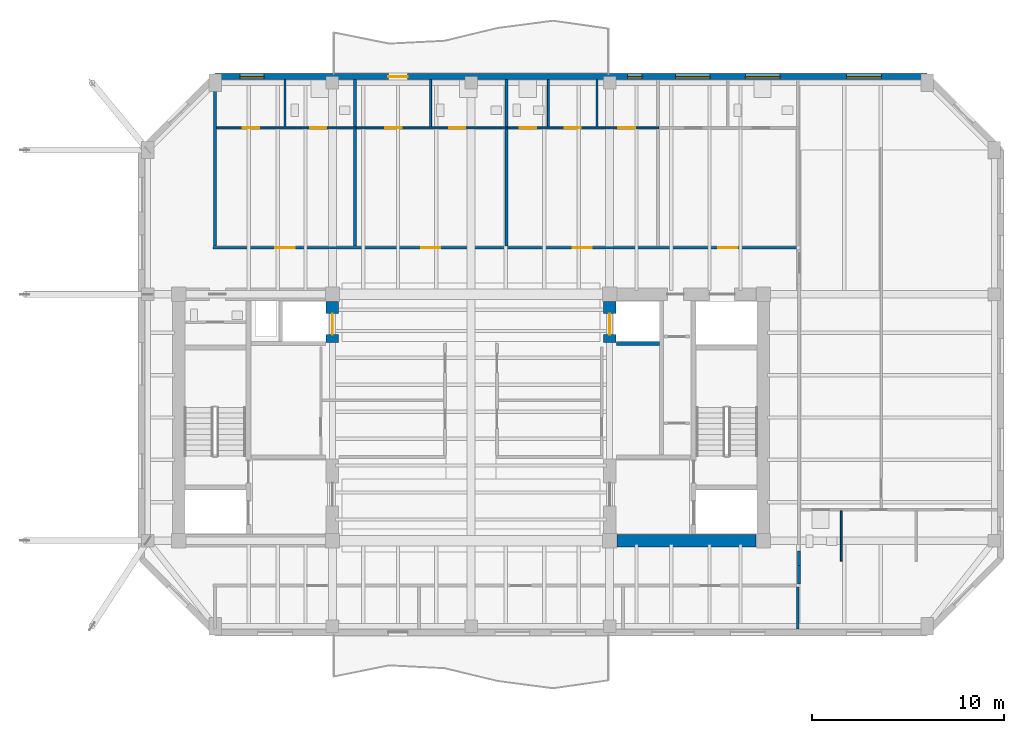
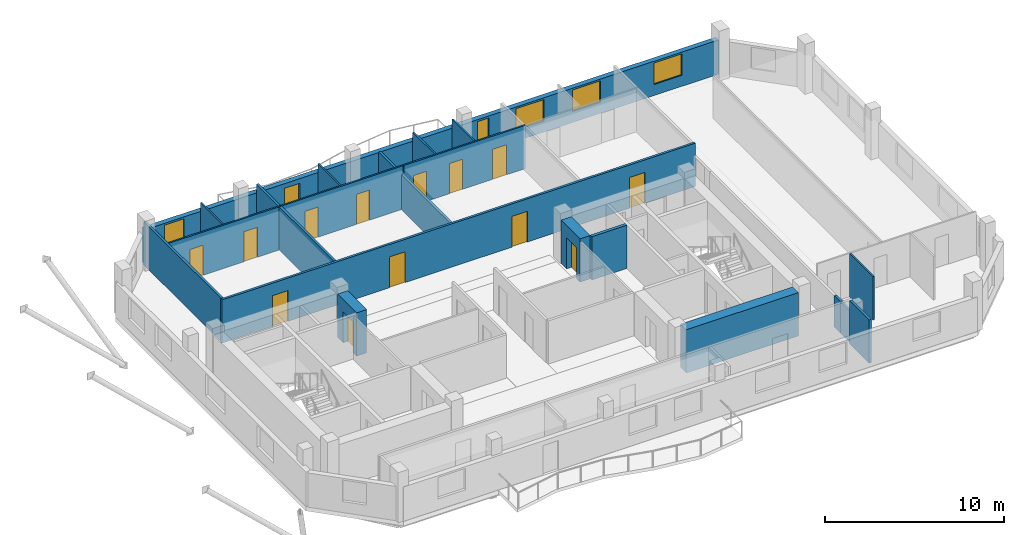
# One storey, part 5 of 10: 20 walls, 14 doors, 5 windows, 19 openings.
"""IFC4 building model written with IfcOpenShell, lengths in metres."""

import ifcopenshell
import ifcopenshell.guid

model = None  # the IFC model being written
_history = None  # IfcOwnerHistory: only IFC2X3 demands one
_inside = {}  # id of a spatial element -> (the spatial element, [elements in it])
_under = {}  # id of a project, library or spatial element -> (it, [spatial elements below it])
_declared = {}  # id of a project -> (the project, [libraries it declares])
_typed = {}  # id of a type object -> (the type object, [elements of that type])
_made_of = {}  # id of a material, layer set ... -> (it, [elements and type objects made of it])


def new_model(schema):
    """Start an empty IFC model of exactly this schema.

    Asked for "IFC4X3", IfcOpenShell would pick the latest addendum, in which some entities
    have other attributes; the version numbers below select the first issue.
    IFC2X3 requires an IfcOwnerHistory on every rooted entity: one is made here for all.
    """
    global model, _history
    if schema == "IFC4X3":
        model = ifcopenshell.file(schema_version=(4, 3, 0, 0))
    else:
        model = ifcopenshell.file(schema=schema)
    _inside.clear()
    _under.clear()
    _declared.clear()
    _typed.clear()
    _made_of.clear()
    _history = None
    if model.schema == "IFC2X3":
        org = make("IfcOrganization", Name="unknown")
        user = make(
            "IfcPersonAndOrganization",
            ThePerson=make("IfcPerson", FamilyName="unknown"),
            TheOrganization=org,
        )
        app = make(
            "IfcApplication",
            ApplicationDeveloper=org,
            Version="unknown",
            ApplicationFullName="unknown",
            ApplicationIdentifier="unknown",
        )
        _history = make(
            "IfcOwnerHistory",
            OwningUser=user,
            OwningApplication=app,
            ChangeAction="ADDED",
            CreationDate=0,
        )
    return model


def make(cls, **values):
    """One entity of the class cls with the attributes given. An attribute that is None is left unset."""
    return model.create_entity(
        cls, **{name: value for name, value in values.items() if value is not None}
    )


def rooted(cls, **values):
    """An entity with a GlobalId (a new one), such as an element, a storey or a relation."""
    return make(cls, GlobalId=ifcopenshell.guid.new(), OwnerHistory=_history, **values)


def si_unit(unit_type, name, prefix=None):
    """IfcSIUnit, for example si_unit("LENGTHUNIT", "METRE", prefix="MILLI")."""
    return make("IfcSIUnit", UnitType=unit_type, Prefix=prefix, Name=name)


def assignment(units):
    """IfcUnitAssignment: the units of a project."""
    return None if units is None else make("IfcUnitAssignment", Units=units)


def point(xyz):
    """IfcCartesianPoint."""
    return None if xyz is None else make("IfcCartesianPoint", Coordinates=xyz)


def direction(xyz):
    """IfcDirection."""
    return None if xyz is None else make("IfcDirection", DirectionRatios=xyz)


def frame(location, z_axis=None, x_axis=None):
    """IfcAxis2Placement3D, a coordinate frame: its origin and axes. An axis left out is left unset."""
    return make(
        "IfcAxis2Placement3D",
        Location=point(location),
        Axis=direction(z_axis),
        RefDirection=direction(x_axis),
    )


def frame_2d(location, x_axis=None):
    """IfcAxis2Placement2D, a coordinate frame in the plane: its origin and x axis."""
    return make(
        "IfcAxis2Placement2D", Location=point(location), RefDirection=direction(x_axis)
    )


def origin():
    """The frame at (0, 0, 0) with its axes left unset."""
    return frame((0.0, 0.0, 0.0))


def place(relative_to, where):
    """IfcLocalPlacement: puts the frame where relative to a parent placement (None: the world)."""
    return make(
        "IfcLocalPlacement", PlacementRelTo=relative_to, RelativePlacement=where
    )


def context(
    kind, dimensions, precision=None, world=None, true_north=None, identifier=None
):
    """IfcGeometricRepresentationContext, for example the 3D "Model" context."""
    return make(
        "IfcGeometricRepresentationContext",
        ContextIdentifier=identifier,
        ContextType=kind,
        CoordinateSpaceDimension=dimensions,
        Precision=precision,
        WorldCoordinateSystem=world,
        TrueNorth=true_north,
    )


def subcontext(parent, identifier, kind, view, scale=None):
    """IfcGeometricRepresentationSubContext, for example "Body" below "Model"."""
    return make(
        "IfcGeometricRepresentationSubContext",
        ContextIdentifier=identifier,
        ContextType=kind,
        ParentContext=parent,
        TargetScale=scale,
        TargetView=view,
    )


def project(units=None, contexts=None):
    """IfcProject with its units and contexts."""
    return rooted(
        "IfcProject",
        Name="project",
        RepresentationContexts=contexts,
        UnitsInContext=assignment(units),
    )


def spatial(cls, under=None, at=None, **own):
    """A site, building, storey or space (cls), placed at a placement, below another one or the project."""
    s = rooted(cls, ObjectPlacement=at, **own)
    if under is not None:
        _under.setdefault(under.id(), (under, []))[1].append(s)
    return s


def profile(cls, at=None, kind="AREA", **sizes):
    """A parametric profile (cls). Its sizes go by their IFC names, for example OverallWidth=200.0."""
    return make(cls, ProfileType=kind, Position=at, **sizes)


def rectangle(**sizes):
    """IfcRectangleProfileDef."""
    return profile("IfcRectangleProfileDef", **sizes)


def extrude(swept, where, along, depth):
    """IfcExtrudedAreaSolid: the profile swept, set in the frame where, extruded along a direction by depth."""
    return make(
        "IfcExtrudedAreaSolid",
        SweptArea=swept,
        Position=where,
        ExtrudedDirection=direction(along),
        Depth=depth,
    )


def shape(context_of_items, identifier, shape_type, items):
    """IfcShapeRepresentation: the items that make up one representation, for example the "Body"."""
    return make(
        "IfcShapeRepresentation",
        ContextOfItems=context_of_items,
        RepresentationIdentifier=identifier,
        RepresentationType=shape_type,
        Items=items,
    )


def material(Name=None, Category=None):
    """IfcMaterial."""
    return make("IfcMaterial", Name=Name, Category=Category)


def layer(
    of_material, thickness, ventilated=None, Name=None, Category=None, Priority=None
):
    """IfcMaterialLayer: one layer of a wall or slab, of a material (None: an air gap)."""
    return make(
        "IfcMaterialLayer",
        Material=of_material,
        LayerThickness=thickness,
        IsVentilated=ventilated,
        Name=Name,
        Category=Category,
        Priority=Priority,
    )


def layer_set(layers, Name=None):
    """IfcMaterialLayerSet."""
    return make("IfcMaterialLayerSet", MaterialLayers=layers, LayerSetName=Name)


def made_of(thing, what):
    """Note that an element or type object is made of a material, layer set ...; save() writes the relation."""
    if what is not None:
        _made_of.setdefault(what.id(), (what, []))[1].append(thing)
    return thing


def type_object(cls, material=None, **own):
    """A type object (cls), such as IfcWallType, which elements share."""
    return made_of(rooted(cls, **own), material)


def element(
    cls,
    number,
    at=None,
    inside=None,
    cuts=None,
    type_object=None,
    material=None,
    context=None,
    identifier="Body",
    shape_type=None,
    held_by="IfcProductDefinitionShape",
    body=None,
    shapes=None,
    **own,
):
    """One element of the class cls, such as IfcWall. Its Tag is "e" and its number.

    at: its placement. inside: the storey or other place that contains it. cuts: it is an
    opening in that element (IfcRelVoidsElement). A single representation is given by context,
    identifier, shape_type and body (its items); several are given by shapes. held_by: the class
    of the entity that holds the representations. save() writes the other relations.
    """
    e = rooted(cls, Tag="e%d" % number, ObjectPlacement=at, **own)
    if body is not None:
        shapes = [shape(context, identifier, shape_type, body)]
    if shapes is not None:
        e.Representation = make(held_by, Representations=shapes)
    if inside is not None:
        _inside.setdefault(inside.id(), (inside, []))[1].append(e)
    if cuts is not None:
        rooted(
            "IfcRelVoidsElement", RelatingBuildingElement=cuts, RelatedOpeningElement=e
        )
    if type_object is not None:
        _typed.setdefault(type_object.id(), (type_object, []))[1].append(e)
    return made_of(e, material)


def fill(opening, filler):
    """IfcRelFillsElement: the door or window that sits in an opening."""
    return rooted(
        "IfcRelFillsElement",
        RelatingOpeningElement=opening,
        RelatedBuildingElement=filler,
    )


def aggregate(whole, parts):
    """IfcRelAggregates: a whole, such as a stair, and the parts it consists of."""
    return rooted("IfcRelAggregates", RelatingObject=whole, RelatedObjects=parts)


def save(model, path):
    """Write the relations noted so far, then the file.

    IfcRelAggregates (storeys below a building ...), IfcRelContainedInSpatialStructure (elements
    in a storey), IfcRelDefinesByType, IfcRelAssociatesMaterial and IfcRelDeclares: one each for
    every whole, place, type object, material and project.
    """
    for whole, parts in _under.values():
        aggregate(whole, parts)
    for where, things in _inside.values():
        rooted(
            "IfcRelContainedInSpatialStructure",
            RelatedElements=things,
            RelatingStructure=where,
        )
    for kind, things in _typed.values():
        rooted("IfcRelDefinesByType", RelatedObjects=things, RelatingType=kind)
    for what, things in _made_of.values():
        rooted("IfcRelAssociatesMaterial", RelatedObjects=things, RelatingMaterial=what)
    for by, libraries in _declared.values():
        rooted("IfcRelDeclares", RelatingContext=by, RelatedDefinitions=libraries)
    model.write(path)


model = new_model("IFC4")

# Units and contexts
model_context = context("Model", 3, precision=1e-05, world=origin(), true_north=direction((0.0, 1.0)))
body_context = subcontext(model_context, "Body", "Model", "MODEL_VIEW")
ifc_project = project(units=[si_unit("LENGTHUNIT", "METRE"), si_unit("AREAUNIT", "SQUARE_METRE"), si_unit("VOLUMEUNIT", "CUBIC_METRE"), si_unit("PLANEANGLEUNIT", "RADIAN"), si_unit("MASSUNIT", "GRAM", prefix="KILO")], contexts=[model_context])

# Site, building, storey
site_placement = place(None, origin())
site = spatial("IfcSite", under=ifc_project, at=site_placement, CompositionType="ELEMENT")
building_placement = place(site_placement, origin())
building = spatial("IfcBuilding", under=site, at=building_placement, Name="Kranthara Brick Stack", CompositionType="ELEMENT")
storey_placement = place(building_placement, frame((0.0, 0.0, 265.300048828125)))
storey = spatial("IfcBuildingStorey", under=building, at=storey_placement, Name="L70", CompositionType="ELEMENT", Elevation=265.300048828125)

# Wall, openings, door, windows
ifc_material_1 = material(Name="Warm buff clay brick masonry M15", Category="masonry")
ifc_layer_1 = layer(ifc_material_1, 0.320068359375)
ifc_layer_set_1 = layer_set([ifc_layer_1], Name="Warm buff clay brick masonry M15")
wall_type_1 = type_object("IfcWallType", Name="WL-BRK-UPPR-320", PredefinedType="STANDARD", material=ifc_layer_set_1)
wall_1_placement = place(storey_placement, frame((14.699951171875, 44.919921875, 0.0), z_axis=(0.0, 0.0, 1.0), x_axis=(1.0, 0.0, 0.0)))
wall_1 = element("IfcWall", 1, at=wall_1_placement, inside=storey, type_object=wall_type_1, Name="L70 Exterior Brick Facade Wall NORTH 1", PredefinedType="STANDARD", context=body_context, shape_type="SweptSolid", body=[
    extrude(rectangle(XDim=37.0, YDim=0.320068359375, at=frame_2d((18.5, 0.0))), origin(), (0.0, 0.0, 1.0), 2.3349609375),
])
opening_1_placement = place(wall_1_placement, frame((9.0, 0.0, 0.0)))
opening_1 = element("IfcOpeningElement", 2, at=opening_1_placement, cuts=wall_1, Name="Opening D03", PredefinedType="OPENING", context=body_context, shape_type="SweptSolid", body=[
    extrude(rectangle(XDim=1.0, YDim=2.02001953125, at=frame_2d((0.5, 1.010009765625))), frame((0.0, 0.169921875, 0.0), z_axis=(0.0, -1.0, 0.0), x_axis=(1.0, 0.0, 0.0)), (0.0, 0.0, 1.0), 0.340087890625),
])
opening_2_placement = place(wall_1_placement, frame((1.2919921875, 0.0, 0.75)))
opening_2 = element("IfcOpeningElement", 3, at=opening_2_placement, cuts=wall_1, Name="Opening WN09", PredefinedType="OPENING", context=body_context, shape_type="SweptSolid", body=[
    extrude(rectangle(XDim=1.25, YDim=1.465087890625, at=frame_2d((0.625, 0.732421875))), frame((0.0, 0.169921875, 0.0), z_axis=(0.0, -1.0, 0.0), x_axis=(1.0, 0.0, 0.0)), (0.0, 0.0, 1.0), 0.340087890625),
])
opening_3_placement = place(wall_1_placement, frame((23.929931640625, 0.0, 0.75)))
opening_3 = element("IfcOpeningElement", 4, at=opening_3_placement, cuts=wall_1, Name="Opening WN07", PredefinedType="OPENING", context=body_context, shape_type="SweptSolid", body=[
    extrude(rectangle(XDim=1.800048828125, YDim=1.465087890625, at=frame_2d((0.89990234375, 0.732421875))), frame((0.0, 0.169921875, 0.0), z_axis=(0.0, -1.0, 0.0), x_axis=(1.0, 0.0, 0.0)), (0.0, 0.0, 1.0), 0.340087890625),
])
opening_4_placement = place(wall_1_placement, frame((27.56298828125, 0.0, 0.75)))
opening_4 = element("IfcOpeningElement", 5, at=opening_4_placement, cuts=wall_1, Name="Opening WN07", PredefinedType="OPENING", context=body_context, shape_type="SweptSolid", body=[
    extrude(rectangle(XDim=1.800048828125, YDim=1.465087890625, at=frame_2d((0.89990234375, 0.732421875))), frame((0.0, 0.169921875, 0.0), z_axis=(0.0, -1.0, 0.0), x_axis=(1.0, 0.0, 0.0)), (0.0, 0.0, 1.0), 0.340087890625),
])
opening_5_placement = place(wall_1_placement, frame((32.824951171875, 0.0, 0.75)))
opening_5 = element("IfcOpeningElement", 6, at=opening_5_placement, cuts=wall_1, Name="Opening WN07", PredefinedType="OPENING", context=body_context, shape_type="SweptSolid", body=[
    extrude(rectangle(XDim=1.800048828125, YDim=1.465087890625, at=frame_2d((0.89990234375, 0.732421875))), frame((0.0, 0.169921875, 0.0), z_axis=(0.0, -1.0, 0.0), x_axis=(1.0, 0.0, 0.0)), (0.0, 0.0, 1.0), 0.340087890625),
])
opening_6_placement = place(wall_1_placement, frame((21.444091796875, 0.0, 0.75)))
opening_6 = element("IfcOpeningElement", 7, at=opening_6_placement, cuts=wall_1, Name="Opening WN13", PredefinedType="OPENING", context=body_context, shape_type="SweptSolid", body=[
    extrude(rectangle(XDim=0.75, YDim=1.449951171875, at=frame_2d((0.375, 0.72509765625))), frame((0.0, 0.169921875, 0.0), z_axis=(0.0, -1.0, 0.0), x_axis=(1.0, 0.0, 0.0)), (0.0, 0.0, 1.0), 0.340087890625),
])
ifc_material_2 = material(Name="Bronze anodised aluminium and laminated glass", Category="aluminium")
door_type_1 = type_object("IfcDoorType", Name="DR-BALC-1000", OperationType="NOTDEFINED", PredefinedType="DOOR", material=ifc_material_2)
door_1_placement = place(opening_1_placement, origin())
door_1 = element("IfcDoor", 8, at=door_1_placement, inside=storey, type_object=door_type_1, Name="L70 North Balcony Terrace Door", OperationType="SINGLE_SWING_RIGHT", OverallHeight=2.02001953125, OverallWidth=1.0, PredefinedType="DOOR", context=body_context, shape_type="SweptSolid", body=[
    extrude(rectangle(XDim=1.0, YDim=2.02001953125, at=frame_2d((0.5, 1.010009765625))), frame((0.0, 0.02490234375, 0.0), z_axis=(0.0, -1.0, 0.0), x_axis=(1.0, 0.0, 0.0)), (0.0, 0.0, 1.0), 0.050048828125),
])
fill(opening_1, door_1)
ifc_material_3 = material(Name="Double-glazed low-E solar control glass", Category="glass")
window_type_1 = type_object("IfcWindowType", Name="WN-CAS-750x1450", PartitioningType="SINGLE_PANEL", PredefinedType="WINDOW", material=ifc_material_3)
window_1_placement = place(opening_6_placement, origin())
window_1 = element("IfcWindow", 9, at=window_1_placement, inside=storey, type_object=window_type_1, Name="L70 North Deep-Set Casement Window 05", OverallHeight=1.449951171875, OverallWidth=0.75, PartitioningType="SINGLE_PANEL", PredefinedType="WINDOW", context=body_context, shape_type="SweptSolid", body=[
    extrude(rectangle(XDim=0.75, YDim=1.449951171875, at=frame_2d((0.375, 0.72509765625))), frame((0.0, -0.010009765625, 0.0), z_axis=(0.0, -1.0, 0.0), x_axis=(1.0, 0.0, 0.0)), (0.0, 0.0, 1.0), 0.06005859375),
])
fill(opening_6, window_1)
ifc_material_4 = material(Name="Double-glazed low-E solar control glass", Category="glass")
window_type_2 = type_object("IfcWindowType", Name="WN-RES-1250x1850", PartitioningType="SINGLE_PANEL", PredefinedType="WINDOW", material=ifc_material_4)
window_2_placement = place(opening_2_placement, origin())
window_2 = element("IfcWindow", 10, at=window_2_placement, inside=storey, type_object=window_type_2, Name="L70 North Deep-Set Brick Window 01", OverallHeight=1.465087890625, OverallWidth=1.25, PartitioningType="SINGLE_PANEL", PredefinedType="WINDOW", context=body_context, shape_type="SweptSolid", body=[
    extrude(rectangle(XDim=1.25, YDim=1.465087890625, at=frame_2d((0.625, 0.732421875))), frame((0.0, -0.010009765625, 0.0), z_axis=(0.0, -1.0, 0.0), x_axis=(1.0, 0.0, 0.0)), (0.0, 0.0, 1.0), 0.06005859375),
])
fill(opening_2, window_2)
ifc_material_5 = material(Name="Double-glazed low-E solar control glass", Category="glass")
window_type_3 = type_object("IfcWindowType", Name="WN-RES-1800x1850", PartitioningType="DOUBLE_PANEL_VERTICAL", PredefinedType="WINDOW", material=ifc_material_5)
window_3_placement = place(opening_3_placement, origin())
window_3 = element("IfcWindow", 11, at=window_3_placement, inside=storey, type_object=window_type_3, Name="L70 North Deep-Set Brick Window 02", OverallHeight=1.465087890625, OverallWidth=1.800048828125, PartitioningType="SINGLE_PANEL", PredefinedType="WINDOW", context=body_context, shape_type="SweptSolid", body=[
    extrude(rectangle(XDim=1.800048828125, YDim=1.465087890625, at=frame_2d((0.89990234375, 0.732421875))), frame((0.0, -0.010009765625, 0.0), z_axis=(0.0, -1.0, 0.0), x_axis=(1.0, 0.0, 0.0)), (0.0, 0.0, 1.0), 0.06005859375),
])
fill(opening_3, window_3)
window_4_placement = place(opening_4_placement, origin())
window_4 = element("IfcWindow", 12, at=window_4_placement, inside=storey, type_object=window_type_3, Name="L70 North Deep-Set Brick Window 03", OverallHeight=1.465087890625, OverallWidth=1.800048828125, PartitioningType="SINGLE_PANEL", PredefinedType="WINDOW", context=body_context, shape_type="SweptSolid", body=[
    extrude(rectangle(XDim=1.800048828125, YDim=1.465087890625, at=frame_2d((0.89990234375, 0.732421875))), frame((0.0, -0.010009765625, 0.0), z_axis=(0.0, -1.0, 0.0), x_axis=(1.0, 0.0, 0.0)), (0.0, 0.0, 1.0), 0.06005859375),
])
fill(opening_4, window_4)
window_5_placement = place(opening_5_placement, origin())
window_5 = element("IfcWindow", 13, at=window_5_placement, inside=storey, type_object=window_type_3, Name="L70 North Deep-Set Brick Window 04", OverallHeight=1.465087890625, OverallWidth=1.800048828125, PartitioningType="SINGLE_PANEL", PredefinedType="WINDOW", context=body_context, shape_type="SweptSolid", body=[
    extrude(rectangle(XDim=1.800048828125, YDim=1.465087890625, at=frame_2d((0.89990234375, 0.732421875))), frame((0.0, -0.010009765625, 0.0), z_axis=(0.0, -1.0, 0.0), x_axis=(1.0, 0.0, 0.0)), (0.0, 0.0, 1.0), 0.06005859375),
])
fill(opening_5, window_5)

# Wall, opening, door
ifc_material_6 = material(Name="Concrete C60/75", Category="concrete")
ifc_layer_2 = layer(ifc_material_6, 0.64990234375)
ifc_layer_set_2 = layer_set([ifc_layer_2], Name="Concrete C60/75")
wall_type_2 = type_object("IfcWallType", Name="WL-CORE-650", PredefinedType="SHEAR", material=ifc_layer_set_2)
wall_2_placement = place(storey_placement, frame((20.800048828125, 31.10009765625, 0.0), z_axis=(0.0, 0.0, 1.0), x_axis=(0.0, 1.0, 0.0)))
wall_2 = element("IfcWall", 14, at=wall_2_placement, inside=storey, type_object=wall_type_2, Name="L70 West Core High-Rise Lift Wall", PredefinedType="SHEAR", context=body_context, shape_type="SweptSolid", body=[
    extrude(rectangle(XDim=2.119873046875, YDim=0.64990234375, at=frame_2d((1.06005859375, 0.0))), origin(), (0.0, 0.0, 1.0), 2.949951171875),
])
opening_7_placement = place(wall_2_placement, frame((0.39990234375, 0.0, 0.0)))
opening_7 = element("IfcOpeningElement", 15, at=opening_7_placement, cuts=wall_2, Name="Opening LD02", PredefinedType="OPENING", context=body_context, shape_type="SweptSolid", body=[
    extrude(rectangle(XDim=1.10009765625, YDim=2.10009765625, at=frame_2d((0.550048828125, 1.050048828125))), frame((0.0, 0.3349609375, 0.0), z_axis=(0.0, -1.0, 0.0), x_axis=(1.0, 0.0, 0.0)), (0.0, 0.0, 1.0), 0.669921875),
])
ifc_material_7 = material(Name="Stainless steel sliding landing door", Category="steel")
door_type_2 = type_object("IfcDoorType", Name="DR-LD-PL1100", OperationType="DOUBLE_DOOR_SLIDING", PredefinedType="DOOR", material=ifc_material_7)
door_2_placement = place(opening_7_placement, origin())
door_2 = element("IfcDoor", 16, at=door_2_placement, inside=storey, type_object=door_type_2, Name="L70 PL-07 Lift Landing Door", OperationType="DOUBLE_DOOR_SLIDING", OverallHeight=2.10009765625, OverallWidth=1.10009765625, PredefinedType="DOOR", context=body_context, shape_type="SweptSolid", body=[
    extrude(rectangle(XDim=1.10009765625, YDim=2.10009765625, at=frame_2d((0.550048828125, 1.050048828125))), frame((0.0, 0.02490234375, 0.0), z_axis=(0.0, -1.0, 0.0), x_axis=(1.0, 0.0, 0.0)), (0.0, 0.0, 1.0), 0.050048828125),
])
fill(opening_7, door_2)

# Wall
wall_3_placement = place(storey_placement, frame((35.580078125, 20.800048828125, 0.0), z_axis=(0.0, 0.0, 1.0), x_axis=(1.0, 0.0, 0.0)))
element("IfcWall", 17, at=wall_3_placement, inside=storey, type_object=wall_type_2, Name="L70 East Core Shear Wall South", PredefinedType="SHEAR", context=body_context, shape_type="SweptSolid", body=[
    extrude(rectangle(XDim=7.239990234375, YDim=0.64990234375, at=frame_2d((3.6201171875, 0.0))), origin(), (0.0, 0.0, 1.0), 2.949951171875),
])

# Wall, opening, door
wall_4_placement = place(storey_placement, frame((35.199951171875, 31.10009765625, 0.0), z_axis=(0.0, 0.0, 1.0), x_axis=(0.0, 1.0, 0.0)))
wall_4 = element("IfcWall", 18, at=wall_4_placement, inside=storey, type_object=wall_type_2, Name="L70 East Core High-Rise Lift Wall", PredefinedType="SHEAR", context=body_context, shape_type="SweptSolid", body=[
    extrude(rectangle(XDim=2.119873046875, YDim=0.64990234375, at=frame_2d((1.06005859375, 0.0))), origin(), (0.0, 0.0, 1.0), 2.949951171875),
])
opening_8_placement = place(wall_4_placement, frame((0.39990234375, 0.0, 0.0)))
opening_8 = element("IfcOpeningElement", 19, at=opening_8_placement, cuts=wall_4, Name="Opening LD02", PredefinedType="OPENING", context=body_context, shape_type="SweptSolid", body=[
    extrude(rectangle(XDim=1.10009765625, YDim=2.10009765625, at=frame_2d((0.550048828125, 1.050048828125))), frame((0.0, 0.3349609375, 0.0), z_axis=(0.0, -1.0, 0.0), x_axis=(1.0, 0.0, 0.0)), (0.0, 0.0, 1.0), 0.669921875),
])
door_3_placement = place(opening_8_placement, origin())
door_3 = element("IfcDoor", 20, at=door_3_placement, inside=storey, type_object=door_type_2, Name="L70 PL-08 Lift Landing Door", OperationType="DOUBLE_DOOR_SLIDING", OverallHeight=2.10009765625, OverallWidth=1.10009765625, PredefinedType="DOOR", context=body_context, shape_type="SweptSolid", body=[
    extrude(rectangle(XDim=1.10009765625, YDim=2.10009765625, at=frame_2d((0.550048828125, 1.050048828125))), frame((0.0, 0.02490234375, 0.0), z_axis=(0.0, -1.0, 0.0), x_axis=(1.0, 0.0, 0.0)), (0.0, 0.0, 1.0), 0.050048828125),
])
fill(opening_8, door_3)

# Wall, openings, doors
ifc_material_8 = material(Name="Moisture-resistant wet-room partition", Category="other")
ifc_layer_3 = layer(ifc_material_8, 0.10009765625)
ifc_layer_set_3 = layer_set([ifc_layer_3], Name="Moisture-resistant wet-room partition")
wall_type_3 = type_object("IfcWallType", Name="WL-PART-100", PredefinedType="PARTITIONING", material=ifc_layer_set_3)
wall_5_placement = place(storey_placement, frame((14.780029296875, 42.25, 0.0), z_axis=(0.0, 0.0, 1.0), x_axis=(1.0, 0.0, 0.0)))
wall_5 = element("IfcWall", 21, at=wall_5_placement, inside=storey, type_object=wall_type_3, Name="L70 Interior Partition 019", PredefinedType="PARTITIONING", context=body_context, shape_type="SweptSolid", body=[
    extrude(rectangle(XDim=7.22705078125, YDim=0.10009765625, at=frame_2d((3.613525390625, 0.0))), origin(), (0.0, 0.0, 1.0), 2.949951171875),
])
opening_9_placement = place(wall_5_placement, frame((1.35205078125, 0.0, 0.0)))
opening_9 = element("IfcOpeningElement", 22, at=opening_9_placement, cuts=wall_5, Name="Opening D16", PredefinedType="OPENING", context=body_context, shape_type="SweptSolid", body=[
    extrude(rectangle(XDim=0.85009765625, YDim=2.050048828125, at=frame_2d((0.425048828125, 1.02490234375))), frame((0.0, 0.06005859375, 0.0), z_axis=(0.0, -1.0, 0.0), x_axis=(1.0, 0.0, 0.0)), (0.0, 0.0, 1.0), 0.1201171875),
])
opening_10_placement = place(wall_5_placement, frame((4.85595703125, 0.0, 0.0)))
opening_10 = element("IfcOpeningElement", 23, at=opening_10_placement, cuts=wall_5, Name="Opening D17", PredefinedType="OPENING", context=body_context, shape_type="SweptSolid", body=[
    extrude(rectangle(XDim=0.85009765625, YDim=2.050048828125, at=frame_2d((0.425048828125, 1.02490234375))), frame((0.0, 0.06005859375, 0.0), z_axis=(0.0, -1.0, 0.0), x_axis=(1.0, 0.0, 0.0)), (0.0, 0.0, 1.0), 0.1201171875),
])
ifc_material_9 = material(Name="Solid-core hardwood timber leaf in steel frame", Category="steel")
door_type_3 = type_object("IfcDoorType", Name="DR-INT-850", OperationType="NOTDEFINED", PredefinedType="DOOR", material=ifc_material_9)
door_4_placement = place(opening_9_placement, origin())
door_4 = element("IfcDoor", 24, at=door_4_placement, inside=storey, type_object=door_type_3, Name="L70 Unit L70A Kitchen 14", OperationType="SINGLE_SWING_RIGHT", OverallHeight=2.050048828125, OverallWidth=0.85009765625, PredefinedType="DOOR", context=body_context, shape_type="SweptSolid", body=[
    extrude(rectangle(XDim=0.85009765625, YDim=2.050048828125, at=frame_2d((0.425048828125, 1.02490234375))), frame((0.0, 0.02490234375, 0.0), z_axis=(0.0, -1.0, 0.0), x_axis=(1.0, 0.0, 0.0)), (0.0, 0.0, 1.0), 0.050048828125),
])
fill(opening_9, door_4)
ifc_material_10 = material(Name="Solid-core hardwood timber leaf in steel frame", Category="steel")
door_type_4 = type_object("IfcDoorType", Name="DR-WET-850", OperationType="NOTDEFINED", PredefinedType="DOOR", material=ifc_material_10)
door_5_placement = place(opening_10_placement, origin())
door_5 = element("IfcDoor", 25, at=door_5_placement, inside=storey, type_object=door_type_4, Name="L70 Unit L70A Bathroom 15", OperationType="SINGLE_SWING_LEFT", OverallHeight=2.050048828125, OverallWidth=0.85009765625, PredefinedType="DOOR", context=body_context, shape_type="SweptSolid", body=[
    extrude(rectangle(XDim=0.85009765625, YDim=2.050048828125, at=frame_2d((0.425048828125, 1.02490234375))), frame((0.0, 0.02490234375, 0.0), z_axis=(0.0, -1.0, 0.0), x_axis=(1.0, 0.0, 0.0)), (0.0, 0.0, 1.0), 0.050048828125),
])
fill(opening_10, door_5)

# Wall
wall_6_placement = place(storey_placement, frame((18.333984375, 42.304931640625, 0.0), z_axis=(0.0, 0.0, 1.0), x_axis=(0.0, 1.0, 0.0)))
element("IfcWall", 26, at=wall_6_placement, inside=storey, type_object=wall_type_3, Name="L70 Interior Partition 020", PredefinedType="PARTITIONING", context=body_context, shape_type="SweptSolid", body=[
    extrude(rectangle(XDim=2.449951171875, YDim=0.10009765625, at=frame_2d((1.22509765625, 0.0))), origin(), (0.0, 0.0, 1.0), 2.949951171875),
])

# Wall, openings, doors
wall_7_placement = place(storey_placement, frame((22.047119140625, 42.25, 0.0), z_axis=(0.0, 0.0, 1.0), x_axis=(1.0, 0.0, 0.0)))
wall_7 = element("IfcWall", 27, at=wall_7_placement, inside=storey, type_object=wall_type_3, Name="L70 Interior Partition 022", PredefinedType="PARTITIONING", context=body_context, shape_type="SweptSolid", body=[
    extrude(rectangle(XDim=7.832763671875, YDim=0.10009765625, at=frame_2d((3.91650390625, 0.0))), origin(), (0.0, 0.0, 1.0), 2.949951171875),
])
opening_11_placement = place(wall_7_placement, frame((1.5029296875, 0.0, 0.0)))
opening_11 = element("IfcOpeningElement", 28, at=opening_11_placement, cuts=wall_7, Name="Opening D16", PredefinedType="OPENING", context=body_context, shape_type="SweptSolid", body=[
    extrude(rectangle(XDim=0.85009765625, YDim=2.050048828125, at=frame_2d((0.425048828125, 1.02490234375))), frame((0.0, 0.06005859375, 0.0), z_axis=(0.0, -1.0, 0.0), x_axis=(1.0, 0.0, 0.0)), (0.0, 0.0, 1.0), 0.1201171875),
])
opening_12_placement = place(wall_7_placement, frame((4.81005859375, 0.0, 0.0)))
opening_12 = element("IfcOpeningElement", 29, at=opening_12_placement, cuts=wall_7, Name="Opening D17", PredefinedType="OPENING", context=body_context, shape_type="SweptSolid", body=[
    extrude(rectangle(XDim=0.85009765625, YDim=2.050048828125, at=frame_2d((0.425048828125, 1.02490234375))), frame((0.0, 0.06005859375, 0.0), z_axis=(0.0, -1.0, 0.0), x_axis=(1.0, 0.0, 0.0)), (0.0, 0.0, 1.0), 0.1201171875),
])
door_6_placement = place(opening_11_placement, origin())
door_6 = element("IfcDoor", 30, at=door_6_placement, inside=storey, type_object=door_type_3, Name="L70 Unit L70B Kitchen 17", OperationType="SINGLE_SWING_LEFT", OverallHeight=2.050048828125, OverallWidth=0.85009765625, PredefinedType="DOOR", context=body_context, shape_type="SweptSolid", body=[
    extrude(rectangle(XDim=0.85009765625, YDim=2.050048828125, at=frame_2d((0.425048828125, 1.02490234375))), frame((0.0, 0.02490234375, 0.0), z_axis=(0.0, -1.0, 0.0), x_axis=(1.0, 0.0, 0.0)), (0.0, 0.0, 1.0), 0.050048828125),
])
fill(opening_11, door_6)
door_7_placement = place(opening_12_placement, origin())
door_7 = element("IfcDoor", 31, at=door_7_placement, inside=storey, type_object=door_type_4, Name="L70 Unit L70B Bathroom 18", OperationType="SINGLE_SWING_RIGHT", OverallHeight=2.050048828125, OverallWidth=0.85009765625, PredefinedType="DOOR", context=body_context, shape_type="SweptSolid", body=[
    extrude(rectangle(XDim=0.85009765625, YDim=2.050048828125, at=frame_2d((0.425048828125, 1.02490234375))), frame((0.0, 0.02490234375, 0.0), z_axis=(0.0, -1.0, 0.0), x_axis=(1.0, 0.0, 0.0)), (0.0, 0.0, 1.0), 0.050048828125),
])
fill(opening_12, door_7)

# Wall
wall_8_placement = place(storey_placement, frame((25.904052734375, 42.304931640625, 0.0), z_axis=(0.0, 0.0, 1.0), x_axis=(0.0, 1.0, 0.0)))
element("IfcWall", 32, at=wall_8_placement, inside=storey, type_object=wall_type_3, Name="L70 Interior Partition 023", PredefinedType="PARTITIONING", context=body_context, shape_type="SweptSolid", body=[
    extrude(rectangle(XDim=2.449951171875, YDim=0.10009765625, at=frame_2d((1.22509765625, 0.0))), origin(), (0.0, 0.0, 1.0), 2.949951171875),
])

# Wall, openings, doors
wall_9_placement = place(storey_placement, frame((29.919921875, 42.25, 0.0), z_axis=(0.0, 0.0, 1.0), x_axis=(1.0, 0.0, 0.0)))
wall_9 = element("IfcWall", 33, at=wall_9_placement, inside=storey, type_object=wall_type_3, Name="L70 Interior Partition 025", PredefinedType="PARTITIONING", context=body_context, shape_type="SweptSolid", body=[
    extrude(rectangle(XDim=7.8330078125, YDim=0.10009765625, at=frame_2d((3.91650390625, 0.0))), origin(), (0.0, 0.0, 1.0), 2.949951171875),
])
opening_13_placement = place(wall_9_placement, frame((0.625, 0.0, 0.0)))
opening_13 = element("IfcOpeningElement", 34, at=opening_13_placement, cuts=wall_9, Name="Opening D17", PredefinedType="OPENING", context=body_context, shape_type="SweptSolid", body=[
    extrude(rectangle(XDim=0.85009765625, YDim=2.050048828125, at=frame_2d((0.425048828125, 1.02490234375))), frame((0.0, 0.06005859375, 0.0), z_axis=(0.0, -1.0, 0.0), x_axis=(1.0, 0.0, 0.0)), (0.0, 0.0, 1.0), 0.1201171875),
])
opening_14_placement = place(wall_9_placement, frame((2.93896484375, 0.0, 0.0)))
opening_14 = element("IfcOpeningElement", 35, at=opening_14_placement, cuts=wall_9, Name="Opening D16", PredefinedType="OPENING", context=body_context, shape_type="SweptSolid", body=[
    extrude(rectangle(XDim=0.85009765625, YDim=2.050048828125, at=frame_2d((0.425048828125, 1.02490234375))), frame((0.0, 0.06005859375, 0.0), z_axis=(0.0, -1.0, 0.0), x_axis=(1.0, 0.0, 0.0)), (0.0, 0.0, 1.0), 0.1201171875),
])
opening_15_placement = place(wall_9_placement, frame((5.719970703125, 0.0, 0.0)))
opening_15 = element("IfcOpeningElement", 36, at=opening_15_placement, cuts=wall_9, Name="Opening D15", PredefinedType="OPENING", context=body_context, shape_type="SweptSolid", body=[
    extrude(rectangle(XDim=0.89990234375, YDim=2.050048828125, at=frame_2d((0.449951171875, 1.02490234375))), frame((0.0, 0.06005859375, 0.0), z_axis=(0.0, -1.0, 0.0), x_axis=(1.0, 0.0, 0.0)), (0.0, 0.0, 1.0), 0.1201171875),
])
door_8_placement = place(opening_14_placement, origin())
door_8 = element("IfcDoor", 37, at=door_8_placement, inside=storey, type_object=door_type_3, Name="L70 Unit L70C Kitchen 21", OperationType="SINGLE_SWING_LEFT", OverallHeight=2.050048828125, OverallWidth=0.85009765625, PredefinedType="DOOR", context=body_context, shape_type="SweptSolid", body=[
    extrude(rectangle(XDim=0.85009765625, YDim=2.050048828125, at=frame_2d((0.425048828125, 1.02490234375))), frame((0.0, 0.02490234375, 0.0), z_axis=(0.0, -1.0, 0.0), x_axis=(1.0, 0.0, 0.0)), (0.0, 0.0, 1.0), 0.050048828125),
])
fill(opening_14, door_8)
ifc_material_11 = material(Name="Solid-core hardwood timber leaf in steel frame", Category="steel")
door_type_5 = type_object("IfcDoorType", Name="DR-INT-900", OperationType="NOTDEFINED", PredefinedType="DOOR", material=ifc_material_11)
door_9_placement = place(opening_15_placement, origin())
door_9 = element("IfcDoor", 38, at=door_9_placement, inside=storey, type_object=door_type_5, Name="L70 Unit L70C Bedroom 22", OperationType="SINGLE_SWING_RIGHT", OverallHeight=2.050048828125, OverallWidth=0.89990234375, PredefinedType="DOOR", context=body_context, shape_type="SweptSolid", body=[
    extrude(rectangle(XDim=0.89990234375, YDim=2.050048828125, at=frame_2d((0.449951171875, 1.02490234375))), frame((0.0, 0.02490234375, 0.0), z_axis=(0.0, -1.0, 0.0), x_axis=(1.0, 0.0, 0.0)), (0.0, 0.0, 1.0), 0.050048828125),
])
fill(opening_15, door_9)
door_10_placement = place(opening_13_placement, origin())
door_10 = element("IfcDoor", 39, at=door_10_placement, inside=storey, type_object=door_type_4, Name="L70 Unit L70C Bathroom 20", OperationType="SINGLE_SWING_RIGHT", OverallHeight=2.050048828125, OverallWidth=0.85009765625, PredefinedType="DOOR", context=body_context, shape_type="SweptSolid", body=[
    extrude(rectangle(XDim=0.85009765625, YDim=2.050048828125, at=frame_2d((0.425048828125, 1.02490234375))), frame((0.0, 0.02490234375, 0.0), z_axis=(0.0, -1.0, 0.0), x_axis=(1.0, 0.0, 0.0)), (0.0, 0.0, 1.0), 0.050048828125),
])
fill(opening_13, door_10)

# Walls
for number, where, z_axis, x_axis, name in (
    (40, (32.02001953125, 42.304931640625, 0.0), (0.0, 0.0, 1.0), (0.0, 1.0, 0.0), "L70 Interior Partition 026"),
    (41, (34.548095703125, 42.304931640625, 0.0), (0.0, 0.0, 1.0), (0.0, 1.0, 0.0), "L70 Interior Partition 027"),
):
    element("IfcWall", number, at=place(storey_placement, frame(where, z_axis=z_axis, x_axis=x_axis)), inside=storey, type_object=wall_type_3, Name=name, PredefinedType="PARTITIONING", context=body_context, shape_type="SweptSolid", body=[
        extrude(rectangle(XDim=2.449951171875, YDim=0.10009765625, at=frame_2d((1.22509765625, 0.0))), origin(), (0.0, 0.0, 1.0), 2.949951171875),
    ])
wall_10_placement = place(storey_placement, frame((47.239990234375, 19.72998046875, 0.0), z_axis=(0.0, 0.0, 1.0), x_axis=(0.0, 1.0, 0.0)))
element("IfcWall", 42, at=wall_10_placement, inside=storey, type_object=wall_type_3, Name="L70 Interior Partition 039", PredefinedType="PARTITIONING", context=body_context, shape_type="SweptSolid", body=[
    extrude(rectangle(XDim=2.614990234375, YDim=0.10009765625, at=frame_2d((1.3076171875, 0.0))), origin(), (0.0, 0.0, 1.0), 2.949951171875),
])
ifc_material_12 = material(Name="Fire-rated gypsum board partition", Category="other")
ifc_layer_4 = layer(ifc_material_12, 0.14990234375)
ifc_layer_set_4 = layer_set([ifc_layer_4], Name="Fire-rated gypsum board partition")
wall_type_4 = type_object("IfcWallType", Name="WL-PART-150", PredefinedType="PARTITIONING", material=ifc_layer_set_4)
wall_11_placement = place(storey_placement, frame((44.97998046875, 16.195068359375, 0.0), z_axis=(0.0, 0.0, 1.0), x_axis=(0.0, 1.0, 0.0)))
element("IfcWall", 43, at=wall_11_placement, inside=storey, type_object=wall_type_4, Name="L70 Interior Partition 016", PredefinedType="PARTITIONING", context=body_context, shape_type="SweptSolid", body=[
    extrude(rectangle(XDim=2.184814453125, YDim=0.14990234375, at=frame_2d((1.09228515625, 0.0))), origin(), (0.0, 0.0, 1.0), 2.949951171875),
])

# Wall, openings, doors
wall_12_placement = place(storey_placement, frame((14.580078125, 36.02001953125, 0.0), z_axis=(0.0, 0.0, 1.0), x_axis=(1.0, 0.0, 0.0)))
wall_12 = element("IfcWall", 44, at=wall_12_placement, inside=storey, type_object=wall_type_4, Name="L70 Interior Partition 017", PredefinedType="PARTITIONING", context=body_context, shape_type="SweptSolid", body=[
    extrude(rectangle(XDim=30.52001953125, YDim=0.14990234375, at=frame_2d((15.260009765625, 0.0))), origin(), (0.0, 0.0, 1.0), 2.949951171875),
])
opening_16_placement = place(wall_12_placement, frame((3.2529296875, 0.0, 0.0)))
opening_16 = element("IfcOpeningElement", 45, at=opening_16_placement, cuts=wall_12, Name="Opening D08", PredefinedType="OPENING", context=body_context, shape_type="SweptSolid", body=[
    extrude(rectangle(XDim=1.0, YDim=2.10009765625, at=frame_2d((0.5, 1.050048828125))), frame((0.0, 0.0849609375, 0.0), z_axis=(0.0, -1.0, 0.0), x_axis=(1.0, 0.0, 0.0)), (0.0, 0.0, 1.0), 0.169921875),
])
opening_17_placement = place(wall_12_placement, frame((10.822998046875, 0.0, 0.0)))
opening_17 = element("IfcOpeningElement", 46, at=opening_17_placement, cuts=wall_12, Name="Opening D08", PredefinedType="OPENING", context=body_context, shape_type="SweptSolid", body=[
    extrude(rectangle(XDim=1.0, YDim=2.10009765625, at=frame_2d((0.5, 1.050048828125))), frame((0.0, 0.0849609375, 0.0), z_axis=(0.0, -1.0, 0.0), x_axis=(1.0, 0.0, 0.0)), (0.0, 0.0, 1.0), 0.169921875),
])
opening_18_placement = place(wall_12_placement, frame((18.697021484375, 0.0, 0.0)))
opening_18 = element("IfcOpeningElement", 47, at=opening_18_placement, cuts=wall_12, Name="Opening D08", PredefinedType="OPENING", context=body_context, shape_type="SweptSolid", body=[
    extrude(rectangle(XDim=1.0, YDim=2.10009765625, at=frame_2d((0.5, 1.050048828125))), frame((0.0, 0.0849609375, 0.0), z_axis=(0.0, -1.0, 0.0), x_axis=(1.0, 0.0, 0.0)), (0.0, 0.0, 1.0), 0.169921875),
])
opening_19_placement = place(wall_12_placement, frame((26.26708984375, 0.0, 0.0)))
opening_19 = element("IfcOpeningElement", 48, at=opening_19_placement, cuts=wall_12, Name="Opening D08", PredefinedType="OPENING", context=body_context, shape_type="SweptSolid", body=[
    extrude(rectangle(XDim=1.0, YDim=2.10009765625, at=frame_2d((0.5, 1.050048828125))), frame((0.0, 0.0849609375, 0.0), z_axis=(0.0, -1.0, 0.0), x_axis=(1.0, 0.0, 0.0)), (0.0, 0.0, 1.0), 0.169921875),
])
ifc_material_13 = material(Name="Solid-core hardwood timber leaf in steel frame", Category="steel")
door_type_6 = type_object("IfcDoorType", Name="DR-FD-1000", OperationType="NOTDEFINED", PredefinedType="DOOR", material=ifc_material_13)
door_11_placement = place(opening_16_placement, origin())
door_11 = element("IfcDoor", 49, at=door_11_placement, inside=storey, type_object=door_type_6, Name="L70 Unit L70A Entrance 13", OperationType="SINGLE_SWING_LEFT", OverallHeight=2.10009765625, OverallWidth=1.0, PredefinedType="DOOR", context=body_context, shape_type="SweptSolid", body=[
    extrude(rectangle(XDim=1.0, YDim=2.10009765625, at=frame_2d((0.5, 1.050048828125))), frame((0.0, 0.02490234375, 0.0), z_axis=(0.0, -1.0, 0.0), x_axis=(1.0, 0.0, 0.0)), (0.0, 0.0, 1.0), 0.050048828125),
])
fill(opening_16, door_11)
door_12_placement = place(opening_17_placement, origin())
door_12 = element("IfcDoor", 50, at=door_12_placement, inside=storey, type_object=door_type_6, Name="L70 Unit L70B Entrance 16", OperationType="SINGLE_SWING_RIGHT", OverallHeight=2.10009765625, OverallWidth=1.0, PredefinedType="DOOR", context=body_context, shape_type="SweptSolid", body=[
    extrude(rectangle(XDim=1.0, YDim=2.10009765625, at=frame_2d((0.5, 1.050048828125))), frame((0.0, 0.02490234375, 0.0), z_axis=(0.0, -1.0, 0.0), x_axis=(1.0, 0.0, 0.0)), (0.0, 0.0, 1.0), 0.050048828125),
])
fill(opening_17, door_12)
door_13_placement = place(opening_18_placement, origin())
door_13 = element("IfcDoor", 51, at=door_13_placement, inside=storey, type_object=door_type_6, Name="L70 Unit L70C Entrance 19", OperationType="SINGLE_SWING_LEFT", OverallHeight=2.10009765625, OverallWidth=1.0, PredefinedType="DOOR", context=body_context, shape_type="SweptSolid", body=[
    extrude(rectangle(XDim=1.0, YDim=2.10009765625, at=frame_2d((0.5, 1.050048828125))), frame((0.0, 0.02490234375, 0.0), z_axis=(0.0, -1.0, 0.0), x_axis=(1.0, 0.0, 0.0)), (0.0, 0.0, 1.0), 0.050048828125),
])
fill(opening_18, door_13)
door_14_placement = place(opening_19_placement, origin())
door_14 = element("IfcDoor", 52, at=door_14_placement, inside=storey, type_object=door_type_6, Name="L70 Unit L70D Entrance 23", OperationType="SINGLE_SWING_LEFT", OverallHeight=2.10009765625, OverallWidth=1.0, PredefinedType="DOOR", context=body_context, shape_type="SweptSolid", body=[
    extrude(rectangle(XDim=1.0, YDim=2.10009765625, at=frame_2d((0.5, 1.050048828125))), frame((0.0, 0.02490234375, 0.0), z_axis=(0.0, -1.0, 0.0), x_axis=(1.0, 0.0, 0.0)), (0.0, 0.0, 1.0), 0.050048828125),
])
fill(opening_19, door_14)

# Walls
for number, where, z_axis, x_axis, name in (
    (53, (14.699951171875, 36.10009765625, 0.0), (0.0, 0.0, 1.0), (0.0, 1.0, 0.0), "L70 Interior Partition 018"),
    (54, (21.967041015625, 36.10009765625, 0.0), (0.0, 0.0, 1.0), (0.0, 1.0, 0.0), "L70 Interior Partition 021"),
):
    element("IfcWall", number, at=place(storey_placement, frame(where, z_axis=z_axis, x_axis=x_axis)), inside=storey, type_object=wall_type_4, Name=name, PredefinedType="PARTITIONING", context=body_context, shape_type="SweptSolid", body=[
        extrude(rectangle(XDim=8.65478515625, YDim=0.14990234375, at=frame_2d((4.327392578125, 0.0))), origin(), (0.0, 0.0, 1.0), 2.949951171875),
    ])
wall_13_placement = place(storey_placement, frame((29.840087890625, 36.10009765625, 0.0), z_axis=(0.0, 0.0, 1.0), x_axis=(0.0, 1.0, 0.0)))
element("IfcWall", 55, at=wall_13_placement, inside=storey, type_object=wall_type_4, Name="L70 Interior Partition 024", PredefinedType="PARTITIONING", context=body_context, shape_type="SweptSolid", body=[
    extrude(rectangle(XDim=8.65478515625, YDim=0.14990234375, at=frame_2d((4.327392578125, 0.0))), origin(), (0.0, 0.0, 1.0), 2.385009765625),
])
wall_14_placement = place(storey_placement, frame((45.050048828125, 19.5, 0.0), z_axis=(0.0, 0.0, 1.0), x_axis=(0.0, -1.0, 0.0)))
element("IfcWall", 56, at=wall_14_placement, inside=storey, type_object=wall_type_4, Name="L70 Interior Partition 032", PredefinedType="PARTITIONING", context=body_context, shape_type="SweptSolid", body=[
    extrude(rectangle(XDim=0.9599609375, YDim=0.14990234375, at=frame_2d((0.47998046875, 0.0))), origin(), (0.0, 0.0, 1.0), 2.135009765625),
])
wall_15_placement = place(storey_placement, frame((45.050048828125, 19.510009765625, 0.0), z_axis=(0.0, 0.0, 1.0), x_axis=(0.0, 1.0, 0.0)))
element("IfcWall", 57, at=wall_15_placement, inside=storey, type_object=wall_type_4, Name="L70 Interior Partition 033", PredefinedType="PARTITIONING", context=body_context, shape_type="SweptSolid", body=[
    extrude(rectangle(XDim=0.739990234375, YDim=0.14990234375, at=frame_2d((0.3701171875, 0.0))), origin(), (0.0, 0.0, 1.0), 2.135009765625),
])
ifc_material_14 = material(Name="Concrete C40/50", Category="concrete")
ifc_layer_5 = layer(ifc_material_14, 0.199951171875)
ifc_layer_set_5 = layer_set([ifc_layer_5], Name="Concrete C40/50")
wall_type_5 = type_object("IfcWallType", Name="WL-PART-200", PredefinedType="SOLIDWALL", material=ifc_layer_set_5)
wall_16_placement = place(storey_placement, frame((35.550048828125, 31.050048828125, 0.0), z_axis=(0.0, 0.0, 1.0), x_axis=(1.0, 0.0, 0.0)))
element("IfcWall", 58, at=wall_16_placement, inside=storey, type_object=wall_type_5, Name="L70 East Core Cross Wall EE4", PredefinedType="SOLIDWALL", context=body_context, shape_type="SweptSolid", body=[
    extrude(rectangle(XDim=2.25, YDim=0.199951171875, at=frame_2d((1.125, 0.0))), origin(), (0.0, 0.0, 1.0), 2.949951171875),
])

save(model, "model.ifc")
